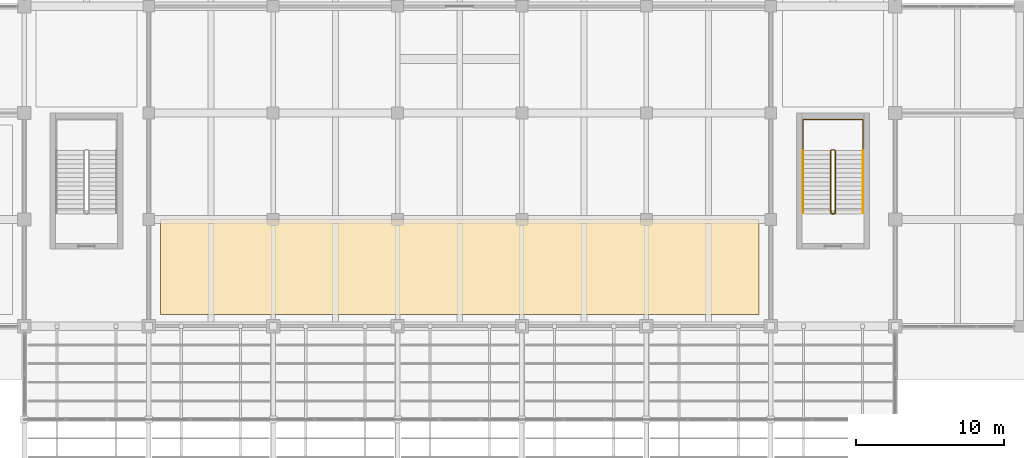
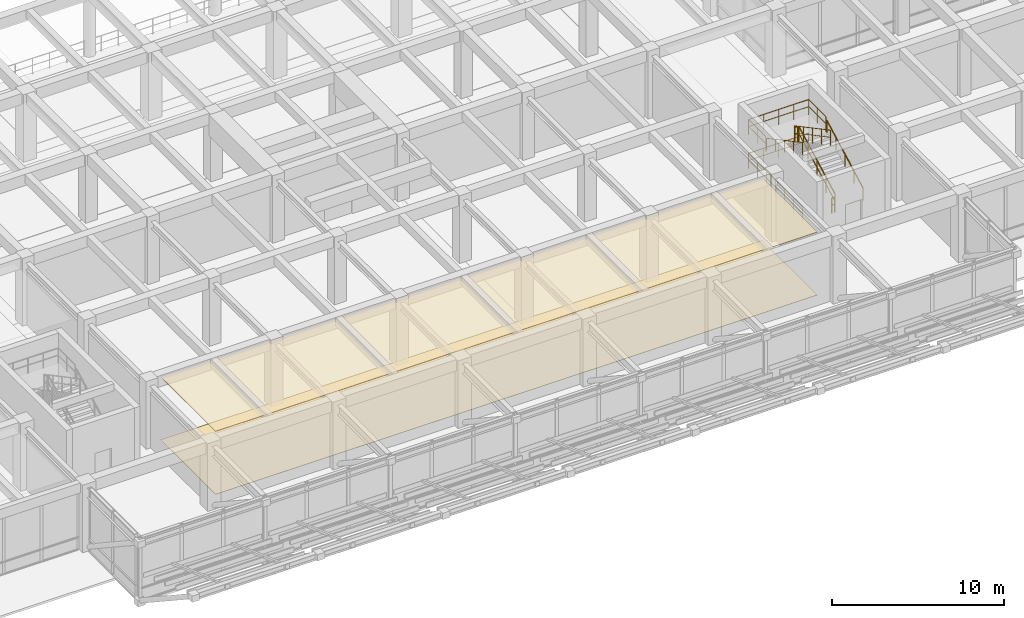
# One storey, part 46 of 52: 8 railings, 2 coverings.
"""IFC4 building model written with IfcOpenShell, lengths in metres."""

import ifcopenshell
import ifcopenshell.guid

model = None  # the IFC model being written
_history = None  # IfcOwnerHistory: only IFC2X3 demands one
_inside = {}  # id of a spatial element -> (the spatial element, [elements in it])
_under = {}  # id of a project, library or spatial element -> (it, [spatial elements below it])
_declared = {}  # id of a project -> (the project, [libraries it declares])
_typed = {}  # id of a type object -> (the type object, [elements of that type])
_made_of = {}  # id of a material, layer set ... -> (it, [elements and type objects made of it])


def new_model(schema):
    """Start an empty IFC model of exactly this schema.

    Asked for "IFC4X3", IfcOpenShell would pick the latest addendum, in which some entities
    have other attributes; the version numbers below select the first issue.
    IFC2X3 requires an IfcOwnerHistory on every rooted entity: one is made here for all.
    """
    global model, _history
    if schema == "IFC4X3":
        model = ifcopenshell.file(schema_version=(4, 3, 0, 0))
    else:
        model = ifcopenshell.file(schema=schema)
    _inside.clear()
    _under.clear()
    _declared.clear()
    _typed.clear()
    _made_of.clear()
    _history = None
    if model.schema == "IFC2X3":
        org = make("IfcOrganization", Name="unknown")
        user = make(
            "IfcPersonAndOrganization",
            ThePerson=make("IfcPerson", FamilyName="unknown"),
            TheOrganization=org,
        )
        app = make(
            "IfcApplication",
            ApplicationDeveloper=org,
            Version="unknown",
            ApplicationFullName="unknown",
            ApplicationIdentifier="unknown",
        )
        _history = make(
            "IfcOwnerHistory",
            OwningUser=user,
            OwningApplication=app,
            ChangeAction="ADDED",
            CreationDate=0,
        )
    return model


def make(cls, **values):
    """One entity of the class cls with the attributes given. An attribute that is None is left unset."""
    return model.create_entity(
        cls, **{name: value for name, value in values.items() if value is not None}
    )


def rooted(cls, **values):
    """An entity with a GlobalId (a new one), such as an element, a storey or a relation."""
    return make(cls, GlobalId=ifcopenshell.guid.new(), OwnerHistory=_history, **values)


def si_unit(unit_type, name, prefix=None):
    """IfcSIUnit, for example si_unit("LENGTHUNIT", "METRE", prefix="MILLI")."""
    return make("IfcSIUnit", UnitType=unit_type, Prefix=prefix, Name=name)


def assignment(units):
    """IfcUnitAssignment: the units of a project."""
    return None if units is None else make("IfcUnitAssignment", Units=units)


def point(xyz):
    """IfcCartesianPoint."""
    return None if xyz is None else make("IfcCartesianPoint", Coordinates=xyz)


def direction(xyz):
    """IfcDirection."""
    return None if xyz is None else make("IfcDirection", DirectionRatios=xyz)


def frame(location, z_axis=None, x_axis=None):
    """IfcAxis2Placement3D, a coordinate frame: its origin and axes. An axis left out is left unset."""
    return make(
        "IfcAxis2Placement3D",
        Location=point(location),
        Axis=direction(z_axis),
        RefDirection=direction(x_axis),
    )


def frame_2d(location, x_axis=None):
    """IfcAxis2Placement2D, a coordinate frame in the plane: its origin and x axis."""
    return make(
        "IfcAxis2Placement2D", Location=point(location), RefDirection=direction(x_axis)
    )


def origin():
    """The frame at (0, 0, 0) with its axes left unset."""
    return frame((0.0, 0.0, 0.0))


def origin_2d():
    """The frame at (0, 0) in the plane with its x axis left unset."""
    return frame_2d((0.0, 0.0))


def place(relative_to, where):
    """IfcLocalPlacement: puts the frame where relative to a parent placement (None: the world)."""
    return make(
        "IfcLocalPlacement", PlacementRelTo=relative_to, RelativePlacement=where
    )


def context(
    kind, dimensions, precision=None, world=None, true_north=None, identifier=None
):
    """IfcGeometricRepresentationContext, for example the 3D "Model" context."""
    return make(
        "IfcGeometricRepresentationContext",
        ContextIdentifier=identifier,
        ContextType=kind,
        CoordinateSpaceDimension=dimensions,
        Precision=precision,
        WorldCoordinateSystem=world,
        TrueNorth=true_north,
    )


def subcontext(parent, identifier, kind, view, scale=None):
    """IfcGeometricRepresentationSubContext, for example "Body" below "Model"."""
    return make(
        "IfcGeometricRepresentationSubContext",
        ContextIdentifier=identifier,
        ContextType=kind,
        ParentContext=parent,
        TargetScale=scale,
        TargetView=view,
    )


def project(units=None, contexts=None):
    """IfcProject with its units and contexts."""
    return rooted(
        "IfcProject",
        Name="project",
        RepresentationContexts=contexts,
        UnitsInContext=assignment(units),
    )


def spatial(cls, under=None, at=None, **own):
    """A site, building, storey or space (cls), placed at a placement, below another one or the project."""
    s = rooted(cls, ObjectPlacement=at, **own)
    if under is not None:
        _under.setdefault(under.id(), (under, []))[1].append(s)
    return s


def polyline(points):
    """IfcPolyline through the points."""
    return make("IfcPolyline", Points=[point(p) for p in points])


def profile(cls, at=None, kind="AREA", **sizes):
    """A parametric profile (cls). Its sizes go by their IFC names, for example OverallWidth=200.0."""
    return make(cls, ProfileType=kind, Position=at, **sizes)


def circle(**sizes):
    """IfcCircleProfileDef."""
    return profile("IfcCircleProfileDef", **sizes)


def outline(outer, holes=None, kind="AREA"):
    """IfcArbitraryClosedProfileDef: a profile drawn as a closed curve; with holes, ...WithVoids."""
    if holes is None:
        return make("IfcArbitraryClosedProfileDef", ProfileType=kind, OuterCurve=outer)
    return make(
        "IfcArbitraryProfileDefWithVoids",
        ProfileType=kind,
        OuterCurve=outer,
        InnerCurves=holes,
    )


def extrude(swept, where, along, depth):
    """IfcExtrudedAreaSolid: the profile swept, set in the frame where, extruded along a direction by depth."""
    return make(
        "IfcExtrudedAreaSolid",
        SweptArea=swept,
        Position=where,
        ExtrudedDirection=direction(along),
        Depth=depth,
    )


def shape(context_of_items, identifier, shape_type, items):
    """IfcShapeRepresentation: the items that make up one representation, for example the "Body"."""
    return make(
        "IfcShapeRepresentation",
        ContextOfItems=context_of_items,
        RepresentationIdentifier=identifier,
        RepresentationType=shape_type,
        Items=items,
    )


def material(Name=None, Category=None):
    """IfcMaterial."""
    return make("IfcMaterial", Name=Name, Category=Category)


def layer(
    of_material, thickness, ventilated=None, Name=None, Category=None, Priority=None
):
    """IfcMaterialLayer: one layer of a wall or slab, of a material (None: an air gap)."""
    return make(
        "IfcMaterialLayer",
        Material=of_material,
        LayerThickness=thickness,
        IsVentilated=ventilated,
        Name=Name,
        Category=Category,
        Priority=Priority,
    )


def layer_set(layers, Name=None):
    """IfcMaterialLayerSet."""
    return make("IfcMaterialLayerSet", MaterialLayers=layers, LayerSetName=Name)


def made_of(thing, what):
    """Note that an element or type object is made of a material, layer set ...; save() writes the relation."""
    if what is not None:
        _made_of.setdefault(what.id(), (what, []))[1].append(thing)
    return thing


def type_object(cls, material=None, **own):
    """A type object (cls), such as IfcWallType, which elements share."""
    return made_of(rooted(cls, **own), material)


def element(
    cls,
    number,
    at=None,
    inside=None,
    cuts=None,
    type_object=None,
    material=None,
    context=None,
    identifier="Body",
    shape_type=None,
    held_by="IfcProductDefinitionShape",
    body=None,
    shapes=None,
    **own,
):
    """One element of the class cls, such as IfcWall. Its Tag is "e" and its number.

    at: its placement. inside: the storey or other place that contains it. cuts: it is an
    opening in that element (IfcRelVoidsElement). A single representation is given by context,
    identifier, shape_type and body (its items); several are given by shapes. held_by: the class
    of the entity that holds the representations. save() writes the other relations.
    """
    e = rooted(cls, Tag="e%d" % number, ObjectPlacement=at, **own)
    if body is not None:
        shapes = [shape(context, identifier, shape_type, body)]
    if shapes is not None:
        e.Representation = make(held_by, Representations=shapes)
    if inside is not None:
        _inside.setdefault(inside.id(), (inside, []))[1].append(e)
    if cuts is not None:
        rooted(
            "IfcRelVoidsElement", RelatingBuildingElement=cuts, RelatedOpeningElement=e
        )
    if type_object is not None:
        _typed.setdefault(type_object.id(), (type_object, []))[1].append(e)
    return made_of(e, material)


def aggregate(whole, parts):
    """IfcRelAggregates: a whole, such as a stair, and the parts it consists of."""
    return rooted("IfcRelAggregates", RelatingObject=whole, RelatedObjects=parts)


def save(model, path):
    """Write the relations noted so far, then the file.

    IfcRelAggregates (storeys below a building ...), IfcRelContainedInSpatialStructure (elements
    in a storey), IfcRelDefinesByType, IfcRelAssociatesMaterial and IfcRelDeclares: one each for
    every whole, place, type object, material and project.
    """
    for whole, parts in _under.values():
        aggregate(whole, parts)
    for where, things in _inside.values():
        rooted(
            "IfcRelContainedInSpatialStructure",
            RelatedElements=things,
            RelatingStructure=where,
        )
    for kind, things in _typed.values():
        rooted("IfcRelDefinesByType", RelatedObjects=things, RelatingType=kind)
    for what, things in _made_of.values():
        rooted("IfcRelAssociatesMaterial", RelatedObjects=things, RelatingMaterial=what)
    for by, libraries in _declared.values():
        rooted("IfcRelDeclares", RelatingContext=by, RelatedDefinitions=libraries)
    model.write(path)


model = new_model("IFC4")

# Units and contexts
model_context = context("Model", 3, precision=1e-05, world=origin(), true_north=direction((0.0, 1.0)))
body_context = subcontext(model_context, "Body", "Model", "MODEL_VIEW")
ifc_project = project(units=[si_unit("LENGTHUNIT", "METRE"), si_unit("AREAUNIT", "SQUARE_METRE"), si_unit("VOLUMEUNIT", "CUBIC_METRE"), si_unit("PLANEANGLEUNIT", "RADIAN"), si_unit("MASSUNIT", "GRAM", prefix="KILO")], contexts=[model_context])

# Site, building, storey
site_placement = place(None, origin())
site = spatial("IfcSite", under=ifc_project, at=site_placement, CompositionType="ELEMENT")
building_placement = place(site_placement, origin())
building = spatial("IfcBuilding", under=site, at=building_placement, Name="Kenerak Square Central Library", CompositionType="ELEMENT")
storey_placement = place(building_placement, frame((0.0, 0.0, 4.800048828125)))
storey = spatial("IfcBuildingStorey", under=building, at=storey_placement, Name="L01", CompositionType="ELEMENT", Elevation=4.800048828125)

# Coverings
ifc_material_1 = material(Name="Chengal hardwood timber SG1", Category="wood")
ifc_layer_1 = layer(ifc_material_1, 0.044921875)
ifc_layer_set_1 = layer_set([ifc_layer_1], Name="Chengal hardwood timber SG1")
covering_type_1 = type_object("IfcCoveringType", Name="Perforated Chengal Acoustic Ceiling CV-CEIL", PredefinedType="CEILING", material=ifc_layer_set_1)
covering_1_placement = place(storey_placement, frame((0.0, 0.0, 4.454833984375)))
element("IfcCovering", 1, at=covering_1_placement, inside=storey, type_object=covering_type_1, Name="Acoustic Ceiling L01-01", PredefinedType="CEILING", context=body_context, shape_type="SweptSolid", body=[
    extrude(outline(polyline([(108.0, 17.60009765625), (67.60009765625, 17.60009765625), (67.60009765625, 24.0), (108.0, 24.0), (108.0, 17.60009765625)])), origin(), (0.0, 0.0, 1.0), 0.045166015625),
])
ifc_material_2 = material(Name="Polished granite aggregate terrazzo", Category="masonry")
ifc_layer_2 = layer(ifc_material_2, 0.02490234375)
ifc_layer_set_2 = layer_set([ifc_layer_2], Name="Polished granite aggregate terrazzo")
covering_type_2 = type_object("IfcCoveringType", Name="Polished Terrazzo Reading Floor Finish CV-FLR", PredefinedType="FLOORING", material=ifc_layer_set_2)
covering_2_placement = place(storey_placement, origin())
element("IfcCovering", 2, at=covering_2_placement, inside=storey, type_object=covering_type_2, Name="Terrazzo Floor Finish L01-01", PredefinedType="FLOORING", context=body_context, shape_type="SweptSolid", body=[
    extrude(outline(polyline([(108.0, 17.60009765625), (67.60009765625, 17.60009765625), (67.60009765625, 24.0), (108.0, 24.0), (108.0, 17.60009765625)])), origin(), (0.0, 0.0, 1.0), 0.02490234375),
])

# Railings
ifc_material_3 = material(Name="Steel S355", Category="steel")
railing_type_1 = type_object("IfcRailingType", Name="Safety Guardrail GR-1100 S355", PredefinedType="GUARDRAIL", material=ifc_material_3)
railing_1_placement = place(storey_placement, frame((113.14990234375, 24.449951171875, 0.159912109375)))
element("IfcRailing", 3, at=railing_1_placement, inside=storey, type_object=railing_type_1, Name="L01 ST-05 stair guard 1", PredefinedType="GUARDRAIL", context=body_context, shape_type="SweptSolid", body=[
    extrude(circle(Radius=0.02392578125, at=origin_2d()), frame((0.0, 0.0, 1.076171875), z_axis=(0.0, 0.882351521365, 0.470590897432), x_axis=(-1.0, 0.0, 0.0)), (0.0, 0.0, 1.0), 4.760009765625),
    extrude(circle(Radius=0.01806640625, at=origin_2d()), frame((0.0, 0.0, 0.572021484375), z_axis=(0.0, 0.882351521365, 0.470590897432), x_axis=(-1.0, 0.0, 0.0)), (0.0, 0.0, 1.0), 4.760009765625),
    extrude(circle(Radius=0.02099609375, at=origin_2d()), origin(), (0.0, 0.0, 1.0), 1.052001953125),
    extrude(circle(Radius=0.02099609375, at=origin_2d()), frame((0.0, 1.050048828125, 0.56005859375)), (0.0, 0.0, 1.0), 1.052001953125),
    extrude(circle(Radius=0.02099609375, at=origin_2d()), frame((0.0, 2.10009765625, 1.1201171875)), (0.0, 0.0, 1.0), 1.052001953125),
    extrude(circle(Radius=0.02099609375, at=origin_2d()), frame((0.0, 3.14990234375, 1.679931640625)), (0.0, 0.0, 1.0), 1.052001953125),
    extrude(circle(Radius=0.02099609375, at=origin_2d()), frame((0.0, 4.199951171875, 2.239990234375)), (0.0, 0.0, 1.0), 1.052001953125),
])
railing_2_placement = place(storey_placement, frame((113.10009765625, 28.699951171875, 2.39990234375)))
element("IfcRailing", 4, at=railing_2_placement, inside=storey, type_object=railing_type_1, Name="L01 ST-05 stair guard 2", PredefinedType="GUARDRAIL", context=body_context, shape_type="SweptSolid", body=[
    extrude(circle(Radius=0.02392578125, at=origin_2d()), frame((0.0, 0.0, 1.076171875), z_axis=(-1.0, 0.0, 0.0), x_axis=(0.0, -1.0, 0.0)), (0.0, 0.0, 1.0), 0.2001953125),
    extrude(circle(Radius=0.01806640625, at=origin_2d()), frame((0.0, 0.0, 0.572021484375), z_axis=(-1.0, 0.0, 0.0), x_axis=(0.0, -1.0, 0.0)), (0.0, 0.0, 1.0), 0.2001953125),
    extrude(circle(Radius=0.02099609375, at=origin_2d()), origin(), (0.0, 0.0, 1.0), 1.052001953125),
    extrude(circle(Radius=0.02099609375, at=origin_2d()), frame((-0.2001953125, 0.0, 0.0)), (0.0, 0.0, 1.0), 1.052001953125),
])
railing_3_placement = place(storey_placement, frame((112.85009765625, 28.64990234375, 2.56005859375)))
element("IfcRailing", 5, at=railing_3_placement, inside=storey, type_object=railing_type_1, Name="L01 ST-05 stair guard 3", PredefinedType="GUARDRAIL", context=body_context, shape_type="SweptSolid", body=[
    extrude(circle(Radius=0.02392578125, at=origin_2d()), frame((0.0, 0.0, 1.076171875), z_axis=(0.0, -0.882351521365, 0.470590897432), x_axis=(1.0, 0.0, 0.0)), (0.0, 0.0, 1.0), 4.760009765625),
    extrude(circle(Radius=0.01806640625, at=origin_2d()), frame((0.0, 0.0, 0.572021484375), z_axis=(0.0, -0.882351521365, 0.470590897432), x_axis=(1.0, 0.0, 0.0)), (0.0, 0.0, 1.0), 4.760009765625),
    extrude(circle(Radius=0.02099609375, at=origin_2d()), origin(), (0.0, 0.0, 1.0), 1.052001953125),
    extrude(circle(Radius=0.02099609375, at=origin_2d()), frame((0.0, -1.050048828125, 0.56005859375)), (0.0, 0.0, 1.0), 1.052001953125),
    extrude(circle(Radius=0.02099609375, at=origin_2d()), frame((0.0, -2.10009765625, 1.1201171875)), (0.0, 0.0, 1.0), 1.052001953125),
    extrude(circle(Radius=0.02099609375, at=origin_2d()), frame((0.0, -3.14990234375, 1.679931640625)), (0.0, 0.0, 1.0), 1.052001953125),
    extrude(circle(Radius=0.02099609375, at=origin_2d()), frame((0.0, -4.199951171875, 2.239990234375)), (0.0, 0.0, 1.0), 1.052001953125),
])
railing_4_placement = place(storey_placement, frame((113.10009765625, 24.39990234375, 0.0)))
element("IfcRailing", 6, at=railing_4_placement, inside=storey, type_object=railing_type_1, Name="L01 ST-05 stair guard 4", PredefinedType="GUARDRAIL", context=body_context, shape_type="SweptSolid", body=[
    extrude(circle(Radius=0.02392578125, at=origin_2d()), frame((0.0, 0.0, 1.076171875), z_axis=(-1.0, 0.0, 0.0), x_axis=(0.0, -1.0, 0.0)), (0.0, 0.0, 1.0), 0.2001953125),
    extrude(circle(Radius=0.01806640625, at=origin_2d()), frame((0.0, 0.0, 0.572021484375), z_axis=(-1.0, 0.0, 0.0), x_axis=(0.0, -1.0, 0.0)), (0.0, 0.0, 1.0), 0.2001953125),
    extrude(circle(Radius=0.02099609375, at=origin_2d()), origin(), (0.0, 0.0, 1.0), 1.052001953125),
    extrude(circle(Radius=0.02099609375, at=origin_2d()), frame((-0.2001953125, 0.0, 0.0)), (0.0, 0.0, 1.0), 1.052001953125),
])
railing_5_placement = place(storey_placement, frame((110.97998046875, 28.75, 2.39990234375)))
element("IfcRailing", 7, at=railing_5_placement, inside=storey, type_object=railing_type_1, Name="Stair Half-Landing Guard ST-05 L01", PredefinedType="GUARDRAIL", context=body_context, shape_type="SweptSolid", body=[
    extrude(circle(Radius=0.02392578125, at=origin_2d()), frame((0.0, 0.0, 1.076171875), z_axis=(0.0, 1.0, 0.0), x_axis=(-1.0, 0.0, 0.0)), (0.0, 0.0, 1.0), 2.0),
    extrude(circle(Radius=0.01806640625, at=origin_2d()), frame((0.0, 0.0, 0.572021484375), z_axis=(0.0, 1.0, 0.0), x_axis=(-1.0, 0.0, 0.0)), (0.0, 0.0, 1.0), 2.0),
    extrude(circle(Radius=0.02392578125, at=origin_2d()), frame((0.0, 2.0, 1.076171875), z_axis=(1.0, 0.0, 0.0), x_axis=(0.0, 1.0, 0.0)), (0.0, 0.0, 1.0), 4.0400390625),
    extrude(circle(Radius=0.01806640625, at=origin_2d()), frame((0.0, 2.0, 0.572021484375), z_axis=(1.0, 0.0, 0.0), x_axis=(0.0, 1.0, 0.0)), (0.0, 0.0, 1.0), 4.0400390625),
    extrude(circle(Radius=0.02392578125, at=origin_2d()), frame((4.0400390625, 2.0, 1.076171875), z_axis=(0.0, -1.0, 0.0), x_axis=(1.0, 0.0, 0.0)), (0.0, 0.0, 1.0), 2.0),
    extrude(circle(Radius=0.01806640625, at=origin_2d()), frame((4.0400390625, 2.0, 0.572021484375), z_axis=(0.0, -1.0, 0.0), x_axis=(1.0, 0.0, 0.0)), (0.0, 0.0, 1.0), 2.0),
    extrude(circle(Radius=0.02099609375, at=origin_2d()), origin(), (0.0, 0.0, 1.0), 1.052001953125),
    extrude(circle(Radius=0.02099609375, at=origin_2d()), frame((0.0, 1.0, 0.0)), (0.0, 0.0, 1.0), 1.052001953125),
    extrude(circle(Radius=0.02099609375, at=origin_2d()), frame((0.0, 2.0, 0.0)), (0.0, 0.0, 1.0), 1.052001953125),
    extrude(circle(Radius=0.02099609375, at=origin_2d()), frame((1.010009765625, 2.0, 0.0)), (0.0, 0.0, 1.0), 1.052001953125),
    extrude(circle(Radius=0.02099609375, at=origin_2d()), frame((2.02001953125, 2.0, 0.0)), (0.0, 0.0, 1.0), 1.052001953125),
    extrude(circle(Radius=0.02099609375, at=origin_2d()), frame((3.030029296875, 2.0, 0.0)), (0.0, 0.0, 1.0), 1.052001953125),
    extrude(circle(Radius=0.02099609375, at=origin_2d()), frame((4.0400390625, 2.0, 0.0)), (0.0, 0.0, 1.0), 1.052001953125),
    extrude(circle(Radius=0.02099609375, at=origin_2d()), frame((4.0400390625, 1.0, 0.0)), (0.0, 0.0, 1.0), 1.052001953125),
    extrude(circle(Radius=0.02099609375, at=origin_2d()), frame((4.0400390625, 0.0, 0.0)), (0.0, 0.0, 1.0), 1.052001953125),
])
railing_6_placement = place(storey_placement, frame((110.97998046875, 24.449951171875, 0.0)))
element("IfcRailing", 8, at=railing_6_placement, inside=storey, type_object=railing_type_1, Name="Stair Well Floor Guard ST-05 L01", PredefinedType="GUARDRAIL", context=body_context, shape_type="SweptSolid", body=[
    extrude(circle(Radius=0.02392578125, at=origin_2d()), frame((0.0, 0.0, 1.076171875), z_axis=(0.0, 1.0, 0.0), x_axis=(-1.0, 0.0, 0.0)), (0.0, 0.0, 1.0), 6.300048828125),
    extrude(circle(Radius=0.01806640625, at=origin_2d()), frame((0.0, 0.0, 0.572021484375), z_axis=(0.0, 1.0, 0.0), x_axis=(-1.0, 0.0, 0.0)), (0.0, 0.0, 1.0), 6.300048828125),
    extrude(circle(Radius=0.02392578125, at=origin_2d()), frame((0.0, 6.300048828125, 1.076171875), z_axis=(1.0, 0.0, 0.0), x_axis=(0.0, 1.0, 0.0)), (0.0, 0.0, 1.0), 4.0400390625),
    extrude(circle(Radius=0.01806640625, at=origin_2d()), frame((0.0, 6.300048828125, 0.572021484375), z_axis=(1.0, 0.0, 0.0), x_axis=(0.0, 1.0, 0.0)), (0.0, 0.0, 1.0), 4.0400390625),
    extrude(circle(Radius=0.02099609375, at=origin_2d()), origin(), (0.0, 0.0, 1.0), 1.052001953125),
    extrude(circle(Radius=0.02099609375, at=origin_2d()), frame((0.0, 1.050048828125, 0.0)), (0.0, 0.0, 1.0), 1.052001953125),
    extrude(circle(Radius=0.02099609375, at=origin_2d()), frame((0.0, 2.10009765625, 0.0)), (0.0, 0.0, 1.0), 1.052001953125),
    extrude(circle(Radius=0.02099609375, at=origin_2d()), frame((0.0, 3.14990234375, 0.0)), (0.0, 0.0, 1.0), 1.052001953125),
    extrude(circle(Radius=0.02099609375, at=origin_2d()), frame((0.0, 4.199951171875, 0.0)), (0.0, 0.0, 1.0), 1.052001953125),
    extrude(circle(Radius=0.02099609375, at=origin_2d()), frame((0.0, 5.25, 0.0)), (0.0, 0.0, 1.0), 1.052001953125),
    extrude(circle(Radius=0.02099609375, at=origin_2d()), frame((0.0, 6.300048828125, 0.0)), (0.0, 0.0, 1.0), 1.052001953125),
    extrude(circle(Radius=0.02099609375, at=origin_2d()), frame((1.010009765625, 6.300048828125, 0.0)), (0.0, 0.0, 1.0), 1.052001953125),
    extrude(circle(Radius=0.02099609375, at=origin_2d()), frame((2.02001953125, 6.300048828125, 0.0)), (0.0, 0.0, 1.0), 1.052001953125),
    extrude(circle(Radius=0.02099609375, at=origin_2d()), frame((3.030029296875, 6.300048828125, 0.0)), (0.0, 0.0, 1.0), 1.052001953125),
    extrude(circle(Radius=0.02099609375, at=origin_2d()), frame((4.0400390625, 6.300048828125, 0.0)), (0.0, 0.0, 1.0), 1.052001953125),
])
railing_type_2 = type_object("IfcRailingType", Name="Stair Handrail HR-880 S355", PredefinedType="HANDRAIL", material=ifc_material_3)
railing_7_placement = place(storey_placement, frame((115.030029296875, 24.449951171875, 0.159912109375)))
element("IfcRailing", 9, at=railing_7_placement, inside=storey, type_object=railing_type_2, Name="L01 ST-05 stair handrail 1", PredefinedType="HANDRAIL", context=body_context, shape_type="SweptSolid", body=[
    extrude(circle(Radius=0.02392578125, at=origin_2d()), frame((0.0, 0.0, 0.85595703125), z_axis=(0.0, 0.882351521365, 0.470590897432), x_axis=(-1.0, 0.0, 0.0)), (0.0, 0.0, 1.0), 4.760009765625),
    extrude(circle(Radius=0.02099609375, at=origin_2d()), origin(), (0.0, 0.0, 1.0), 0.831787109375),
    extrude(circle(Radius=0.02099609375, at=origin_2d()), frame((0.0, 1.050048828125, 0.56005859375)), (0.0, 0.0, 1.0), 0.831787109375),
    extrude(circle(Radius=0.02099609375, at=origin_2d()), frame((0.0, 2.10009765625, 1.1201171875)), (0.0, 0.0, 1.0), 0.831787109375),
    extrude(circle(Radius=0.02099609375, at=origin_2d()), frame((0.0, 3.14990234375, 1.679931640625)), (0.0, 0.0, 1.0), 0.831787109375),
    extrude(circle(Radius=0.02099609375, at=origin_2d()), frame((0.0, 4.199951171875, 2.239990234375)), (0.0, 0.0, 1.0), 0.831787109375),
])
railing_8_placement = place(storey_placement, frame((110.969970703125, 28.64990234375, 2.56005859375)))
element("IfcRailing", 10, at=railing_8_placement, inside=storey, type_object=railing_type_2, Name="L01 ST-05 stair handrail 2", PredefinedType="HANDRAIL", context=body_context, shape_type="SweptSolid", body=[
    extrude(circle(Radius=0.02392578125, at=origin_2d()), frame((0.0, 0.0, 0.85595703125), z_axis=(0.0, -0.882351521365, 0.470590897432), x_axis=(1.0, 0.0, 0.0)), (0.0, 0.0, 1.0), 4.760009765625),
    extrude(circle(Radius=0.02099609375, at=origin_2d()), origin(), (0.0, 0.0, 1.0), 0.831787109375),
    extrude(circle(Radius=0.02099609375, at=origin_2d()), frame((0.0, -1.050048828125, 0.56005859375)), (0.0, 0.0, 1.0), 0.831787109375),
    extrude(circle(Radius=0.02099609375, at=origin_2d()), frame((0.0, -2.10009765625, 1.1201171875)), (0.0, 0.0, 1.0), 0.831787109375),
    extrude(circle(Radius=0.02099609375, at=origin_2d()), frame((0.0, -3.14990234375, 1.679931640625)), (0.0, 0.0, 1.0), 0.831787109375),
    extrude(circle(Radius=0.02099609375, at=origin_2d()), frame((0.0, -4.199951171875, 2.239990234375)), (0.0, 0.0, 1.0), 0.831787109375),
])

save(model, "model.ifc")
